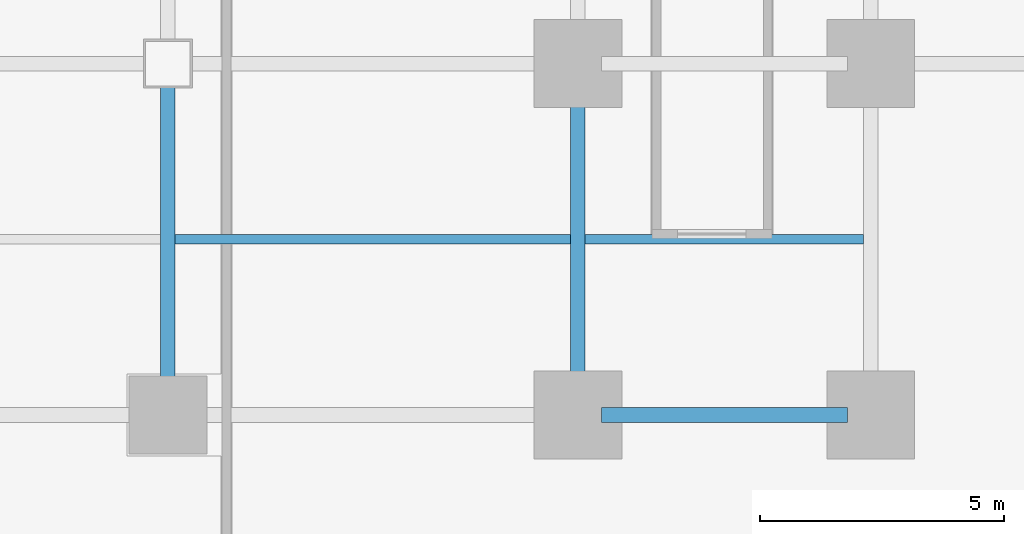
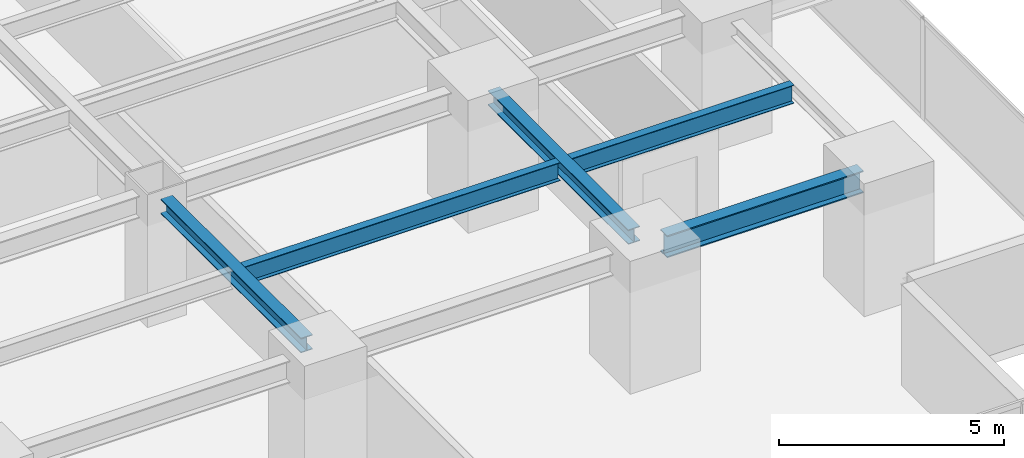
# One storey, part 12 of 33: 5 beams.
"""IFC4 building model written with IfcOpenShell, lengths in metres."""

from ifc_helpers import new_model, si_unit, direction, frame, origin, origin_2d, place, context, subcontext, project, spatial, i_section, extrude, source, transform, mapped, material, material_profile, profile_set, type_object, element, save


model = new_model("IFC4")

# Units and contexts
model_context = context("Model", 3, precision=1e-05, world=origin(), true_north=direction((0.0, 1.0)))
body_context = subcontext(model_context, "Body", "Model", "MODEL_VIEW")
ifc_project = project(units=[si_unit("LENGTHUNIT", "METRE"), si_unit("AREAUNIT", "SQUARE_METRE"), si_unit("VOLUMEUNIT", "CUBIC_METRE"), si_unit("PLANEANGLEUNIT", "RADIAN"), si_unit("MASSUNIT", "GRAM", prefix="KILO")], contexts=[model_context])

# Site, building, storey
site_placement = place(None, origin())
site = spatial("IfcSite", under=ifc_project, at=site_placement, CompositionType="ELEMENT")
building_placement = place(site_placement, origin())
building = spatial("IfcBuilding", under=site, at=building_placement, Name="Sumidabori Civic Tower", CompositionType="ELEMENT")
storey_placement = place(building_placement, frame((0.0, 0.0, 63.199951171875)))
storey = spatial("IfcBuildingStorey", under=building, at=storey_placement, Name="L16", CompositionType="ELEMENT", Elevation=63.199951171875)

# Beams
ifc_material = material(Name="Steel SN490", Category="steel")
ifc_material_profile_1 = material_profile(ifc_material, i_section(OverallWidth=0.300048828125, OverallDepth=0.60009765625, WebThickness=0.015380859375, FlangeThickness=0.030029296875, at=origin_2d()), Name="HE 600 B")
ifc_profile_set_1 = profile_set([ifc_material_profile_1], Name="Steel SN490")
beam_type_1 = type_object("IfcBeamType", Name="BM-GIRD-600", PredefinedType="BEAM", material=ifc_profile_set_1)
shared_shape_1 = source(origin(), body_context, "Body", "SweptSolid", [
    extrude(i_section(OverallWidth=0.300048828125, OverallDepth=0.60009765625, WebThickness=0.015380859375, FlangeThickness=0.030029296875, at=origin_2d()), origin(), (0.0, 0.0, 1.0), 5.0400390625),
])
beam_1_placement = place(storey_placement, frame((17.280029296875, -18.0, 3.06005859375), z_axis=(1.0, 0.0, 0.0), x_axis=(0.0, 1.0, 0.0)))
element("IfcBeam", 1, at=beam_1_placement, inside=storey, type_object=beam_type_1, Name="Primary Girder L16 GX-06", PredefinedType="BEAM", context=body_context, shape_type="MappedRepresentation", body=[
    mapped(shared_shape_1, transform((0.0, 0.0, 0.0), x_axis=(1.0, 0.0, 0.0), y_axis=(0.0, 1.0, 0.0), z_axis=(0.0, 0.0, 1.0), scale=1.0)),
])
ifc_material_profile_2 = material_profile(ifc_material, i_section(OverallWidth=0.300048828125, OverallDepth=0.39990234375, WebThickness=0.013427734375, FlangeThickness=0.02392578125, at=origin_2d()), Name="HE 400 B")
ifc_profile_set_2 = profile_set([ifc_material_profile_2], Name="Steel SN490")
beam_type_2 = type_object("IfcBeamType", Name="BM-GIRD-400", PredefinedType="BEAM", material=ifc_profile_set_2)
shared_shape_2 = source(origin(), body_context, "Body", "SweptSolid", [
    extrude(i_section(OverallWidth=0.300048828125, OverallDepth=0.39990234375, WebThickness=0.013427734375, FlangeThickness=0.02392578125, at=origin_2d()), origin(), (0.0, 0.0, 1.0), 6.239990234375),
])
for number, where, z_axis, x_axis, name in (
    (2, (8.39990234375, -17.52001953125, 3.16015625), (0.0, 1.0, 0.0), (-1.0, 0.0, 0.0), "Primary Girder L16 GY-33"),
    (3, (16.800048828125, -17.52001953125, 3.16015625), (0.0, 1.0, 0.0), (-1.0, 0.0, 0.0), "Primary Girder L16 GY-35"),
):
    element("IfcBeam", number, at=place(storey_placement, frame(where, z_axis=z_axis, x_axis=x_axis)), inside=storey, type_object=beam_type_2, Name=name, PredefinedType="BEAM", context=body_context, shape_type="MappedRepresentation", body=[
        mapped(shared_shape_2, transform((0.0, 0.0, 0.0), x_axis=(1.0, 0.0, 0.0), y_axis=(0.0, 1.0, 0.0), z_axis=(0.0, 0.0, 1.0), scale=1.0)),
    ])
ifc_material_profile_3 = material_profile(ifc_material, i_section(OverallWidth=0.199951171875, OverallDepth=0.5, WebThickness=0.01025390625, FlangeThickness=0.01611328125, at=origin_2d()), Name="IPE 500")
ifc_profile_set_3 = profile_set([ifc_material_profile_3], Name="Steel SN490")
beam_type_3 = type_object("IfcBeamType", Name="BM-JST-500", PredefinedType="JOIST", material=ifc_profile_set_3)
shared_shape_3 = source(origin(), body_context, "Body", "SweptSolid", [
    extrude(i_section(OverallWidth=0.199951171875, OverallDepth=0.5, WebThickness=0.01025390625, FlangeThickness=0.01611328125, at=origin_2d()), origin(), (0.0, 0.0, 1.0), 5.699951171875),
])
beam_2_placement = place(storey_placement, frame((16.949951171875, -14.39990234375, 3.110107421875), z_axis=(1.0, 0.0, 0.0), x_axis=(0.0, 1.0, 0.0)))
element("IfcBeam", 4, at=beam_2_placement, inside=storey, type_object=beam_type_3, Name="Outer Bay Floor Joist L16 JSTO-58", PredefinedType="JOIST", context=body_context, shape_type="MappedRepresentation", body=[
    mapped(shared_shape_3, transform((0.0, 0.0, 0.0), x_axis=(1.0, 0.0, 0.0), y_axis=(0.0, 1.0, 0.0), z_axis=(0.0, 0.0, 1.0), scale=1.0)),
])
shared_shape_4 = source(origin(), body_context, "Body", "SweptSolid", [
    extrude(i_section(OverallWidth=0.199951171875, OverallDepth=0.5, WebThickness=0.01025390625, FlangeThickness=0.01611328125, at=origin_2d()), origin(), (0.0, 0.0, 1.0), 8.099853515625),
])
beam_3_placement = place(storey_placement, frame((8.550048828125, -14.39990234375, 3.110107421875), z_axis=(1.0, 0.0, 0.0), x_axis=(0.0, 1.0, 0.0)))
element("IfcBeam", 5, at=beam_3_placement, inside=storey, type_object=beam_type_3, Name="South Bay Floor Joist L16 JSTS-64", PredefinedType="JOIST", context=body_context, shape_type="MappedRepresentation", body=[
    mapped(shared_shape_4, transform((0.0, 0.0, 0.0), x_axis=(1.0, 0.0, 0.0), y_axis=(0.0, 1.0, 0.0), z_axis=(0.0, 0.0, 1.0), scale=1.0)),
])

save(model, "model.ifc")
